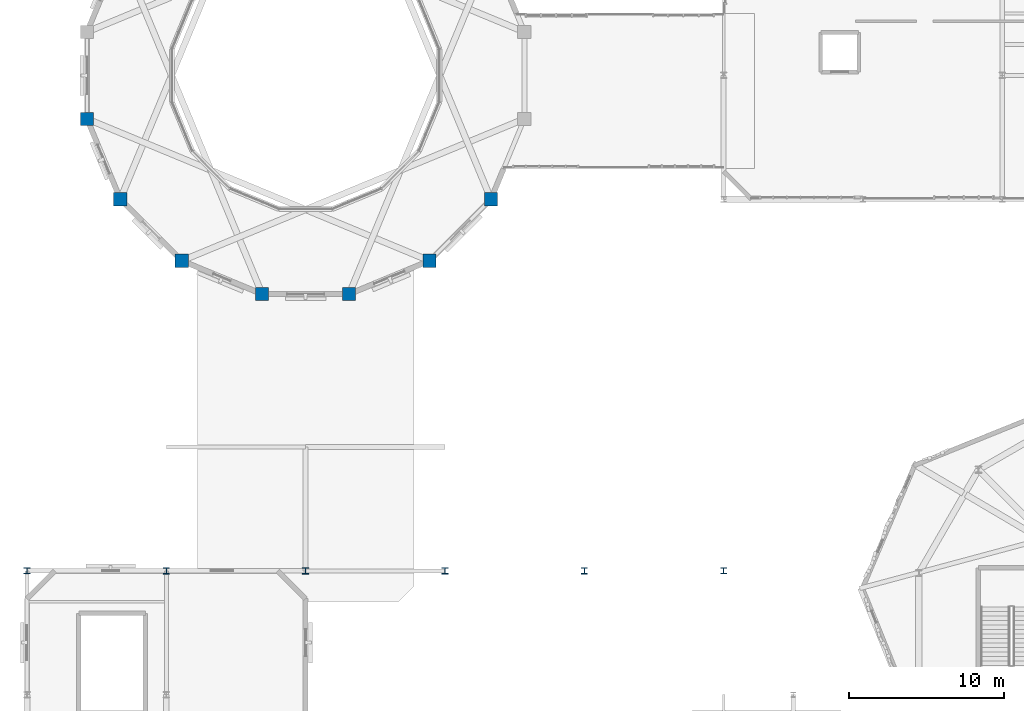
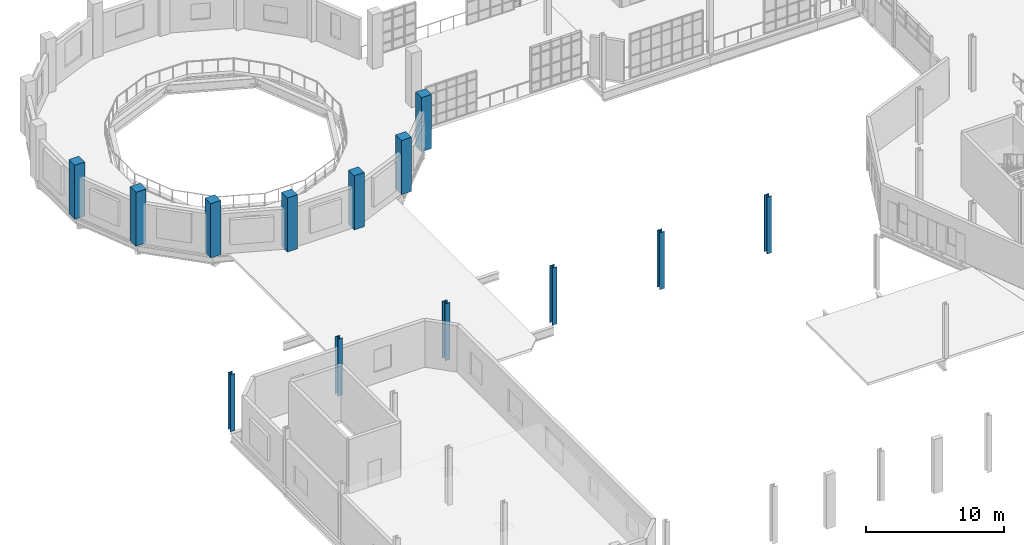
# One storey, part 3 of 122: 13 columns.
"""IFC4 building model written with IfcOpenShell, lengths in metres."""

import ifcopenshell
import ifcopenshell.guid

model = None  # the IFC model being written
_history = None  # IfcOwnerHistory: only IFC2X3 demands one
_inside = {}  # id of a spatial element -> (the spatial element, [elements in it])
_under = {}  # id of a project, library or spatial element -> (it, [spatial elements below it])
_declared = {}  # id of a project -> (the project, [libraries it declares])
_typed = {}  # id of a type object -> (the type object, [elements of that type])
_made_of = {}  # id of a material, layer set ... -> (it, [elements and type objects made of it])


def new_model(schema):
    """Start an empty IFC model of exactly this schema.

    Asked for "IFC4X3", IfcOpenShell would pick the latest addendum, in which some entities
    have other attributes; the version numbers below select the first issue.
    IFC2X3 requires an IfcOwnerHistory on every rooted entity: one is made here for all.
    """
    global model, _history
    if schema == "IFC4X3":
        model = ifcopenshell.file(schema_version=(4, 3, 0, 0))
    else:
        model = ifcopenshell.file(schema=schema)
    _inside.clear()
    _under.clear()
    _declared.clear()
    _typed.clear()
    _made_of.clear()
    _history = None
    if model.schema == "IFC2X3":
        org = make("IfcOrganization", Name="unknown")
        user = make(
            "IfcPersonAndOrganization",
            ThePerson=make("IfcPerson", FamilyName="unknown"),
            TheOrganization=org,
        )
        app = make(
            "IfcApplication",
            ApplicationDeveloper=org,
            Version="unknown",
            ApplicationFullName="unknown",
            ApplicationIdentifier="unknown",
        )
        _history = make(
            "IfcOwnerHistory",
            OwningUser=user,
            OwningApplication=app,
            ChangeAction="ADDED",
            CreationDate=0,
        )
    return model


def make(cls, **values):
    """One entity of the class cls with the attributes given. An attribute that is None is left unset."""
    return model.create_entity(
        cls, **{name: value for name, value in values.items() if value is not None}
    )


def rooted(cls, **values):
    """An entity with a GlobalId (a new one), such as an element, a storey or a relation."""
    return make(cls, GlobalId=ifcopenshell.guid.new(), OwnerHistory=_history, **values)


def si_unit(unit_type, name, prefix=None):
    """IfcSIUnit, for example si_unit("LENGTHUNIT", "METRE", prefix="MILLI")."""
    return make("IfcSIUnit", UnitType=unit_type, Prefix=prefix, Name=name)


def assignment(units):
    """IfcUnitAssignment: the units of a project."""
    return None if units is None else make("IfcUnitAssignment", Units=units)


def point(xyz):
    """IfcCartesianPoint."""
    return None if xyz is None else make("IfcCartesianPoint", Coordinates=xyz)


def direction(xyz):
    """IfcDirection."""
    return None if xyz is None else make("IfcDirection", DirectionRatios=xyz)


def frame(location, z_axis=None, x_axis=None):
    """IfcAxis2Placement3D, a coordinate frame: its origin and axes. An axis left out is left unset."""
    return make(
        "IfcAxis2Placement3D",
        Location=point(location),
        Axis=direction(z_axis),
        RefDirection=direction(x_axis),
    )


def frame_2d(location, x_axis=None):
    """IfcAxis2Placement2D, a coordinate frame in the plane: its origin and x axis."""
    return make(
        "IfcAxis2Placement2D", Location=point(location), RefDirection=direction(x_axis)
    )


def origin():
    """The frame at (0, 0, 0) with its axes left unset."""
    return frame((0.0, 0.0, 0.0))


def origin_2d():
    """The frame at (0, 0) in the plane with its x axis left unset."""
    return frame_2d((0.0, 0.0))


def place(relative_to, where):
    """IfcLocalPlacement: puts the frame where relative to a parent placement (None: the world)."""
    return make(
        "IfcLocalPlacement", PlacementRelTo=relative_to, RelativePlacement=where
    )


def context(
    kind, dimensions, precision=None, world=None, true_north=None, identifier=None
):
    """IfcGeometricRepresentationContext, for example the 3D "Model" context."""
    return make(
        "IfcGeometricRepresentationContext",
        ContextIdentifier=identifier,
        ContextType=kind,
        CoordinateSpaceDimension=dimensions,
        Precision=precision,
        WorldCoordinateSystem=world,
        TrueNorth=true_north,
    )


def subcontext(parent, identifier, kind, view, scale=None):
    """IfcGeometricRepresentationSubContext, for example "Body" below "Model"."""
    return make(
        "IfcGeometricRepresentationSubContext",
        ContextIdentifier=identifier,
        ContextType=kind,
        ParentContext=parent,
        TargetScale=scale,
        TargetView=view,
    )


def project(units=None, contexts=None):
    """IfcProject with its units and contexts."""
    return rooted(
        "IfcProject",
        Name="project",
        RepresentationContexts=contexts,
        UnitsInContext=assignment(units),
    )


def spatial(cls, under=None, at=None, **own):
    """A site, building, storey or space (cls), placed at a placement, below another one or the project."""
    s = rooted(cls, ObjectPlacement=at, **own)
    if under is not None:
        _under.setdefault(under.id(), (under, []))[1].append(s)
    return s


def profile(cls, at=None, kind="AREA", **sizes):
    """A parametric profile (cls). Its sizes go by their IFC names, for example OverallWidth=200.0."""
    return make(cls, ProfileType=kind, Position=at, **sizes)


def rectangle(**sizes):
    """IfcRectangleProfileDef."""
    return profile("IfcRectangleProfileDef", **sizes)


def i_section(**sizes):
    """IfcIShapeProfileDef."""
    return profile("IfcIShapeProfileDef", **sizes)


def extrude(swept, where, along, depth):
    """IfcExtrudedAreaSolid: the profile swept, set in the frame where, extruded along a direction by depth."""
    return make(
        "IfcExtrudedAreaSolid",
        SweptArea=swept,
        Position=where,
        ExtrudedDirection=direction(along),
        Depth=depth,
    )


def shape(context_of_items, identifier, shape_type, items):
    """IfcShapeRepresentation: the items that make up one representation, for example the "Body"."""
    return make(
        "IfcShapeRepresentation",
        ContextOfItems=context_of_items,
        RepresentationIdentifier=identifier,
        RepresentationType=shape_type,
        Items=items,
    )


def material(Name=None, Category=None):
    """IfcMaterial."""
    return make("IfcMaterial", Name=Name, Category=Category)


def material_profile(
    of_material, cross_section, Name=None, Category=None, Priority=None
):
    """IfcMaterialProfile: a cross section and its material."""
    return make(
        "IfcMaterialProfile",
        Name=Name,
        Material=of_material,
        Profile=cross_section,
        Priority=Priority,
        Category=Category,
    )


def profile_set(profiles, Name=None, composite=None):
    """IfcMaterialProfileSet."""
    return make(
        "IfcMaterialProfileSet",
        Name=Name,
        MaterialProfiles=profiles,
        CompositeProfile=composite,
    )


def made_of(thing, what):
    """Note that an element or type object is made of a material, layer set ...; save() writes the relation."""
    if what is not None:
        _made_of.setdefault(what.id(), (what, []))[1].append(thing)
    return thing


def type_object(cls, material=None, **own):
    """A type object (cls), such as IfcWallType, which elements share."""
    return made_of(rooted(cls, **own), material)


def element(
    cls,
    number,
    at=None,
    inside=None,
    cuts=None,
    type_object=None,
    material=None,
    context=None,
    identifier="Body",
    shape_type=None,
    held_by="IfcProductDefinitionShape",
    body=None,
    shapes=None,
    **own,
):
    """One element of the class cls, such as IfcWall. Its Tag is "e" and its number.

    at: its placement. inside: the storey or other place that contains it. cuts: it is an
    opening in that element (IfcRelVoidsElement). A single representation is given by context,
    identifier, shape_type and body (its items); several are given by shapes. held_by: the class
    of the entity that holds the representations. save() writes the other relations.
    """
    e = rooted(cls, Tag="e%d" % number, ObjectPlacement=at, **own)
    if body is not None:
        shapes = [shape(context, identifier, shape_type, body)]
    if shapes is not None:
        e.Representation = make(held_by, Representations=shapes)
    if inside is not None:
        _inside.setdefault(inside.id(), (inside, []))[1].append(e)
    if cuts is not None:
        rooted(
            "IfcRelVoidsElement", RelatingBuildingElement=cuts, RelatedOpeningElement=e
        )
    if type_object is not None:
        _typed.setdefault(type_object.id(), (type_object, []))[1].append(e)
    return made_of(e, material)


def aggregate(whole, parts):
    """IfcRelAggregates: a whole, such as a stair, and the parts it consists of."""
    return rooted("IfcRelAggregates", RelatingObject=whole, RelatedObjects=parts)


def save(model, path):
    """Write the relations noted so far, then the file.

    IfcRelAggregates (storeys below a building ...), IfcRelContainedInSpatialStructure (elements
    in a storey), IfcRelDefinesByType, IfcRelAssociatesMaterial and IfcRelDeclares: one each for
    every whole, place, type object, material and project.
    """
    for whole, parts in _under.values():
        aggregate(whole, parts)
    for where, things in _inside.values():
        rooted(
            "IfcRelContainedInSpatialStructure",
            RelatedElements=things,
            RelatingStructure=where,
        )
    for kind, things in _typed.values():
        rooted("IfcRelDefinesByType", RelatedObjects=things, RelatingType=kind)
    for what, things in _made_of.values():
        rooted("IfcRelAssociatesMaterial", RelatedObjects=things, RelatingMaterial=what)
    for by, libraries in _declared.values():
        rooted("IfcRelDeclares", RelatingContext=by, RelatedDefinitions=libraries)
    model.write(path)


model = new_model("IFC4")

# Units and contexts
model_context = context("Model", 3, precision=1e-05, world=origin(), true_north=direction((0.0, 1.0)))
body_context = subcontext(model_context, "Body", "Model", "MODEL_VIEW")
ifc_project = project(units=[si_unit("LENGTHUNIT", "METRE"), si_unit("AREAUNIT", "SQUARE_METRE"), si_unit("VOLUMEUNIT", "CUBIC_METRE"), si_unit("PLANEANGLEUNIT", "RADIAN"), si_unit("MASSUNIT", "GRAM", prefix="KILO"), si_unit("THERMODYNAMICTEMPERATUREUNIT", "KELVIN"), si_unit("POWERUNIT", "WATT")], contexts=[model_context])

# Site, building, storey
site_placement = place(None, origin())
site = spatial("IfcSite", under=ifc_project, at=site_placement, CompositionType="ELEMENT")
building_placement = place(site_placement, origin())
building = spatial("IfcBuilding", under=site, at=building_placement, Name="Zelmaris Science Centre", CompositionType="ELEMENT")
storey_placement = place(building_placement, frame((0.0, 0.0, 10.800048828125)))
storey = spatial("IfcBuildingStorey", under=building, at=storey_placement, Name="L02", CompositionType="ELEMENT", Elevation=10.800048828125)

# Columns
ifc_material_1 = material(Name="Steel ASTM A992 Grade 50", Category="steel")
ifc_material_profile_1 = material_profile(ifc_material_1, i_section(OverallWidth=0.406005859375, OverallDepth=0.4169921875, WebThickness=0.02978515625, FlangeThickness=0.04443359375, FilletRadius=0.014892578125, at=origin_2d()), Name="W14X257")
ifc_profile_set_1 = profile_set([ifc_material_profile_1], Name="Steel ASTM A992 Grade 50")
column_type_1 = type_object("IfcColumnType", Name="Column C-02 W14X257", PredefinedType="COLUMN", material=ifc_profile_set_1)
for number, where, z_axis, x_axis, name in (
    (1, (18.0, 40.0, 0.0), (0.0, 0.0, 1.0), (1.0, 0.0, 0.0), "Column V3-P-18-40 L02"),
    (2, (27.0, 40.0, 0.0), (0.0, 0.0, 1.0), (1.0, 0.0, 0.0), "Column V3-P-27-40 L02"),
    (3, (36.0, 40.0, 0.0), (0.0, 0.0, 1.0), (1.0, 0.0, 0.0), "Column V3-P-36-40 L02"),
    (4, (45.0, 40.0, 0.0), (0.0, 0.0, 1.0), (1.0, 0.0, 0.0), "Column V3-P-45-40 L02"),
):
    element("IfcColumn", number, at=place(storey_placement, frame(where, z_axis=z_axis, x_axis=x_axis)), inside=storey, type_object=column_type_1, Name=name, PredefinedType="COLUMN", context=body_context, shape_type="SweptSolid", body=[
        extrude(i_section(OverallWidth=0.406005859375, OverallDepth=0.4169921875, WebThickness=0.02978515625, FlangeThickness=0.04443359375, FilletRadius=0.014892578125, at=origin_2d()), origin(), (0.0, 0.0, 1.0), 5.050048828125),
    ])
ifc_material_profile_2 = material_profile(ifc_material_1, i_section(OverallWidth=0.39892578125, OverallDepth=0.385986328125, WebThickness=0.02099609375, FlangeThickness=0.033203125, FilletRadius=0.014892578125, at=origin_2d()), Name="W14X176")
ifc_profile_set_2 = profile_set([ifc_material_profile_2], Name="Steel ASTM A992 Grade 50")
column_type_2 = type_object("IfcColumnType", Name="Column C-04 W14X176", PredefinedType="COLUMN", material=ifc_profile_set_2)
for number, where, z_axis, x_axis, name in (
    (5, (9.0, 40.0, 0.0), (0.0, 0.0, 1.0), (1.0, 0.0, 0.0), "Column V3-P-9-40 L02"),
    (6, (54.0, 40.0, 0.0), (0.0, 0.0, 1.0), (1.0, 0.0, 0.0), "Column V3-P-54-40 L02"),
):
    element("IfcColumn", number, at=place(storey_placement, frame(where, z_axis=z_axis, x_axis=x_axis)), inside=storey, type_object=column_type_2, Name=name, PredefinedType="COLUMN", context=body_context, shape_type="SweptSolid", body=[
        extrude(i_section(OverallWidth=0.39892578125, OverallDepth=0.385986328125, WebThickness=0.02099609375, FlangeThickness=0.033203125, FilletRadius=0.014892578125, at=origin_2d()), origin(), (0.0, 0.0, 1.0), 5.050048828125),
    ])
ifc_material_2 = material(Name="Concrete C40/50", Category="concrete")
ifc_material_profile_3 = material_profile(ifc_material_2, rectangle(XDim=0.85009765625, YDim=0.85009765625, at=origin_2d()), Name="RC-COL-850X850")
ifc_profile_set_3 = profile_set([ifc_material_profile_3], Name="Concrete C40/50")
column_type_3 = type_object("IfcColumnType", Name="Column C-14 RC-COL-850X850", PredefinedType="COLUMN", material=ifc_profile_set_3)
for number, where, z_axis, x_axis, name in (
    (7, (12.876708984375, 69.190673828125, 0.0), (0.0, 0.0, 1.0), (1.0, 0.0, 0.0), "Column V1-DC09 L02"),
    (8, (15.02685546875, 63.999755859375, 0.0), (0.0, 0.0, 1.0), (1.0, 0.0, 0.0), "Column V1-DC10 L02"),
    (9, (18.999755859375, 60.02685546875, 0.0), (0.0, 0.0, 1.0), (1.0, 0.0, 0.0), "Column V1-DC11 L02"),
    (10, (24.190673828125, 57.876708984375, 0.0), (0.0, 0.0, 1.0), (1.0, 0.0, 0.0), "Column V1-DC12 L02"),
    (11, (29.809326171875, 57.876708984375, 0.0), (0.0, 0.0, 1.0), (1.0, 0.0, 0.0), "Column V1-DC13 L02"),
    (12, (35.000244140625, 60.02685546875, 0.0), (0.0, 0.0, 1.0), (1.0, 0.0, 0.0), "Column V1-DC14 L02"),
    (13, (38.97314453125, 63.999755859375, 0.0), (0.0, 0.0, 1.0), (1.0, 0.0, 0.0), "Column V1-DC15 L02"),
):
    element("IfcColumn", number, at=place(storey_placement, frame(where, z_axis=z_axis, x_axis=x_axis)), inside=storey, type_object=column_type_3, Name=name, PredefinedType="COLUMN", context=body_context, shape_type="SweptSolid", body=[
        extrude(rectangle(XDim=0.85009765625, YDim=0.85009765625, at=origin_2d()), origin(), (0.0, 0.0, 1.0), 4.800048828125),
    ])

save(model, "model.ifc")
